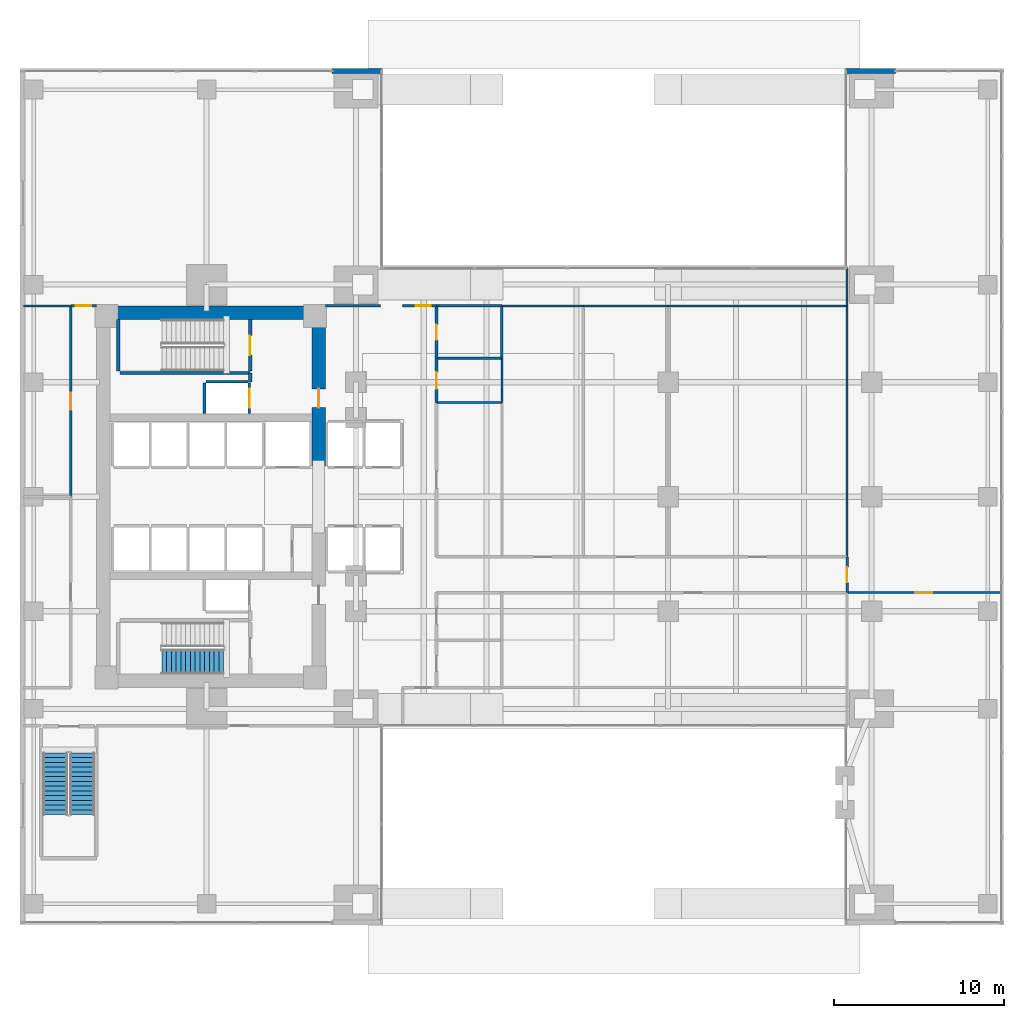
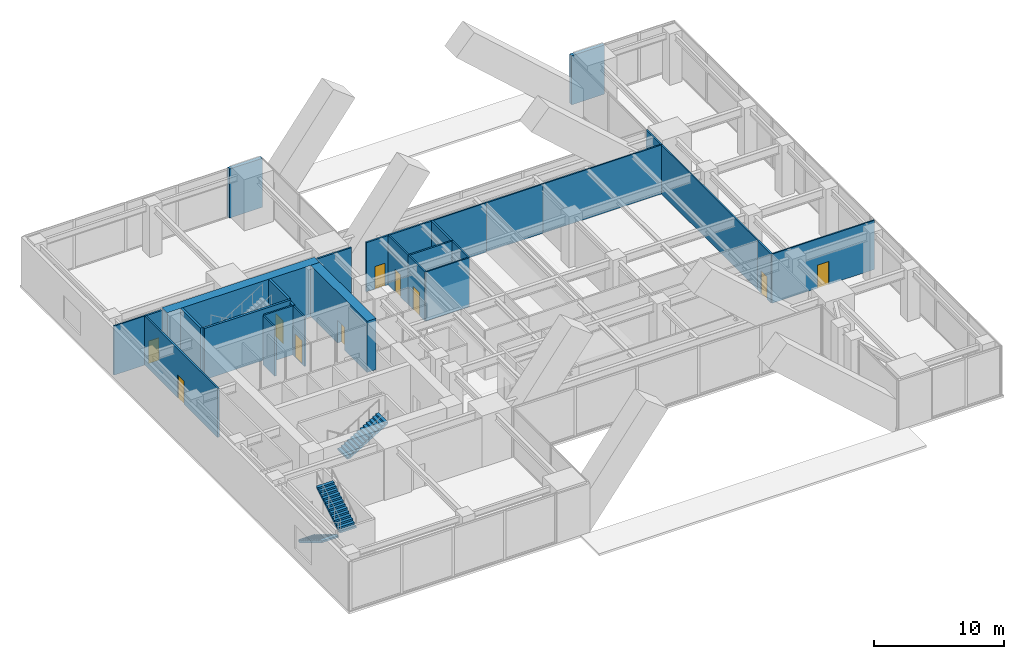
# One storey, part 10 of 13: 30 walls, 10 doors, 3 stair flights, 10 openings, 2 elements without a shape of their own.
"""IFC4 building model written with IfcOpenShell, lengths in metres."""

from ifc_helpers import new_model, si_unit, direction, frame, frame_2d, origin, place, context, subcontext, project, spatial, polyline, rectangle, outline, extrude, material, layer, layer_set, type_object, element, fill, aggregate, save


model = new_model("IFC4")

# Units and contexts
model_context = context("Model", 3, precision=1e-05, world=origin(), true_north=direction((0.0, 1.0)))
body_context = subcontext(model_context, "Body", "Model", "MODEL_VIEW")
ifc_project = project(units=[si_unit("LENGTHUNIT", "METRE"), si_unit("AREAUNIT", "SQUARE_METRE"), si_unit("VOLUMEUNIT", "CUBIC_METRE"), si_unit("PLANEANGLEUNIT", "RADIAN"), si_unit("MASSUNIT", "GRAM", prefix="KILO")], contexts=[model_context])

# Site, building, storey
site_placement = place(None, origin())
site = spatial("IfcSite", under=ifc_project, at=site_placement, CompositionType="ELEMENT")
building_placement = place(site_placement, origin())
building = spatial("IfcBuilding", under=site, at=building_placement, Name="Kinhvarn Gate Tower", CompositionType="ELEMENT")
storey_placement = place(building_placement, frame((0.0, 0.0, 6.0)))
storey = spatial("IfcBuildingStorey", under=building, at=storey_placement, Name="L01", CompositionType="ELEMENT", Elevation=6.0)

# Wall
ifc_material_1 = material(Name="Concrete C70/85", Category="concrete")
ifc_layer_1 = layer(ifc_material_1, 0.800048828125)
ifc_layer_set_1 = layer_set([ifc_layer_1], Name="Concrete C70/85")
wall_type_1 = type_object("IfcWallType", Name="WL-CORE-800", PredefinedType="SHEAR", material=ifc_layer_set_1)
wall_1_placement = place(storey_placement, frame((4.5, 36.10009765625, 0.0), z_axis=(0.0, 0.0, 1.0), x_axis=(1.0, 0.0, 0.0)))
element("IfcWall", 1, at=wall_1_placement, inside=storey, type_object=wall_type_1, Name="Core North Shear Wall L01 800 mm", PredefinedType="SHEAR", context=body_context, shape_type="SweptSolid", body=[
    extrude(rectangle(XDim=13.5, YDim=0.800048828125, at=frame_2d((6.75, 0.0))), origin(), (0.0, 0.0, 1.0), 4.800048828125),
])

# Wall, opening, door
wall_2_placement = place(storey_placement, frame((17.60009765625, 27.050048828125, 0.0), z_axis=(0.0, 0.0, 1.0), x_axis=(0.0, 1.0, 0.0)))
wall_2 = element("IfcWall", 2, at=wall_2_placement, inside=storey, type_object=wall_type_1, Name="Core East-North Shear Pier L01 800 mm", PredefinedType="SHEAR", context=body_context, shape_type="SweptSolid", body=[
    extrude(rectangle(XDim=8.64990234375, YDim=0.800048828125, at=frame_2d((4.324951171875, 0.0))), origin(), (0.0, 0.0, 1.0), 4.800048828125),
])
opening_1_placement = place(wall_2_placement, frame((3.449951171875, 0.0, 0.0)))
opening_1 = element("IfcOpeningElement", 3, at=opening_1_placement, cuts=wall_2, Name="Opening FD-02", PredefinedType="OPENING", context=body_context, shape_type="SweptSolid", body=[
    extrude(rectangle(XDim=1.10009765625, YDim=2.14990234375, at=frame_2d((0.550048828125, 1.074951171875))), frame((0.0, 0.41015625, 0.0), z_axis=(0.0, -1.0, 0.0), x_axis=(1.0, 0.0, 0.0)), (0.0, 0.0, 1.0), 0.820068359375),
])
ifc_material_2 = material(Name="Anodised aluminium AW-6063", Category="aluminium")
door_type_1 = type_object("IfcDoorType", Name="DR-FD-1100", OperationType="NOTDEFINED", PredefinedType="DOOR", material=ifc_material_2)
door_1_placement = place(opening_1_placement, origin())
door_1 = element("IfcDoor", 4, at=door_1_placement, inside=storey, type_object=door_type_1, Name="Firefighting Lobby Core Door (L01)", OperationType="SINGLE_SWING_LEFT", OverallHeight=2.14990234375, OverallWidth=1.10009765625, PredefinedType="DOOR", context=body_context, shape_type="SweptSolid", body=[
    extrude(rectangle(XDim=1.10009765625, YDim=2.14990234375, at=frame_2d((0.550048828125, 1.074951171875))), frame((0.0, 0.02490234375, 0.0), z_axis=(0.0, -1.0, 0.0), x_axis=(1.0, 0.0, 0.0)), (0.0, 0.0, 1.0), 0.050048828125),
])
fill(opening_1, door_1)

# Walls
ifc_material_3 = material(Name="Precast white architectural concrete C40/50", Category="concrete")
ifc_layer_2 = layer(ifc_material_3, 0.300048828125)
ifc_layer_set_2 = layer_set([ifc_layer_2], Name="Precast white architectural concrete C40/50")
wall_type_2 = type_object("IfcWallType", Name="WL-EXT-300", PredefinedType="SOLIDWALL", material=ifc_layer_set_2)
for number, where, z_axis, x_axis, name in (
    (5, (51.60009765625, 50.35009765625, 0.0), (0.0, 0.0, 1.0), (-1.0, 0.0, 0.0), "Exterior Solidwall Wall EW-300 (L01 Arch-NE-Pier-L01)"),
    (6, (21.31005859375, 50.35009765625, 0.0), (0.0, 0.0, 1.0), (-1.0, 0.0, 0.0), "Exterior Solidwall Wall EW-300 (L01 Arch-NW-Pier-L01)"),
):
    element("IfcWall", number, at=place(storey_placement, frame(where, z_axis=z_axis, x_axis=x_axis)), inside=storey, type_object=wall_type_2, Name=name, PredefinedType="SOLIDWALL", context=body_context, shape_type="SweptSolid", body=[
        extrude(rectangle(XDim=2.91015625, YDim=0.300048828125, at=frame_2d((1.455078125, 0.0))), origin(), (0.0, 0.0, 1.0), 4.60009765625),
    ])
ifc_material_4 = material(Name="Gypsum acoustic partition board")
ifc_layer_3 = layer(ifc_material_4, 0.14990234375)
ifc_layer_set_3 = layer_set([ifc_layer_3], Name="Gypsum acoustic partition board")
wall_type_3 = type_object("IfcWallType", Name="WL-PLM-150", PredefinedType="PLUMBINGWALL", material=ifc_layer_set_3)
for number, where, z_axis, x_axis, name in (
    (7, (24.550048828125, 36.5, 0.0), (0.0, 0.0, 1.0), (1.0, 0.0, 0.0), "Interior Partition PLW-150 (L01)"),
    (8, (24.550048828125, 33.39990234375, 0.0), (0.0, 0.0, 1.0), (1.0, 0.0, 0.0), "Interior Partition PLW-150 (L01)"),
):
    element("IfcWall", number, at=place(storey_placement, frame(where, z_axis=z_axis, x_axis=x_axis)), inside=storey, type_object=wall_type_3, Name=name, PredefinedType="PLUMBINGWALL", context=body_context, shape_type="SweptSolid", body=[
        extrude(rectangle(XDim=3.849853515625, YDim=0.14990234375, at=frame_2d((1.9248046875, 0.0))), origin(), (0.0, 0.0, 1.0), 4.60009765625),
    ])
wall_3_placement = place(storey_placement, frame((28.39990234375, 33.39990234375, 0.0), z_axis=(0.0, 0.0, 1.0), x_axis=(0.0, 1.0, 0.0)))
element("IfcWall", 9, at=wall_3_placement, inside=storey, type_object=wall_type_3, Name="Interior Partition PLW-150 (L01)", PredefinedType="PLUMBINGWALL", context=body_context, shape_type="SweptSolid", body=[
    extrude(rectangle(XDim=3.10009765625, YDim=0.14990234375, at=frame_2d((1.550048828125, 0.0))), origin(), (0.0, 0.0, 1.0), 4.60009765625),
])

# Wall, opening, door
ifc_layer_4 = layer(ifc_material_4, 0.14990234375)
ifc_layer_set_4 = layer_set([ifc_layer_4], Name="Gypsum acoustic partition board")
wall_type_4 = type_object("IfcWallType", Name="WL-PLM-150F", PredefinedType="PLUMBINGWALL", material=ifc_layer_set_4)
wall_4_placement = place(storey_placement, frame((24.550048828125, 33.39990234375, 0.0), z_axis=(0.0, 0.0, 1.0), x_axis=(0.0, 1.0, 0.0)))
wall_4 = element("IfcWall", 10, at=wall_4_placement, inside=storey, type_object=wall_type_4, Name="Interior Partition PLW-150F (L01)", PredefinedType="PLUMBINGWALL", context=body_context, shape_type="SweptSolid", body=[
    extrude(rectangle(XDim=3.10009765625, YDim=0.14990234375, at=frame_2d((1.550048828125, 0.0))), origin(), (0.0, 0.0, 1.0), 4.60009765625),
])
opening_2_placement = place(wall_4_placement, frame((1.10009765625, 0.0, 0.0)))
opening_2 = element("IfcOpeningElement", 11, at=opening_2_placement, cuts=wall_4, Name="Opening FD-04", PredefinedType="OPENING", context=body_context, shape_type="SweptSolid", body=[
    extrude(rectangle(XDim=0.89990234375, YDim=2.10009765625, at=frame_2d((0.449951171875, 1.050048828125))), frame((0.0, 0.0849609375, 0.0), z_axis=(0.0, -1.0, 0.0), x_axis=(1.0, 0.0, 0.0)), (0.0, 0.0, 1.0), 0.169921875),
])
door_type_2 = type_object("IfcDoorType", Name="DR-FD-900", OperationType="NOTDEFINED", PredefinedType="DOOR", material=ifc_material_2)
door_2_placement = place(opening_2_placement, origin())
door_2 = element("IfcDoor", 12, at=door_2_placement, inside=storey, type_object=door_type_2, Name="Rated Riser & Service Closet Fire Door 900x2100 mm (L01)", OperationType="SINGLE_SWING_RIGHT", OverallHeight=2.10009765625, OverallWidth=0.89990234375, PredefinedType="DOOR", context=body_context, shape_type="SweptSolid", body=[
    extrude(rectangle(XDim=0.89990234375, YDim=2.10009765625, at=frame_2d((0.449951171875, 1.050048828125))), frame((0.0, 0.02490234375, 0.0), z_axis=(0.0, -1.0, 0.0), x_axis=(1.0, 0.0, 0.0)), (0.0, 0.0, 1.0), 0.050048828125),
])
fill(opening_2, door_2)

# Walls
ifc_layer_5 = layer(ifc_material_4, 0.1201171875)
ifc_layer_set_5 = layer_set([ifc_layer_5], Name="Gypsum acoustic partition board")
wall_type_5 = type_object("IfcWallType", Name="WL-PRT-120", PredefinedType="PARTITIONING", material=ifc_layer_set_5)
wall_5_placement = place(storey_placement, frame((0.199951171875, 36.5, 0.0), z_axis=(0.0, 0.0, 1.0), x_axis=(1.0, 0.0, 0.0)))
element("IfcWall", 13, at=wall_5_placement, inside=storey, type_object=wall_type_5, Name="Interior Partition PW-120 (L01)", PredefinedType="PARTITIONING", context=body_context, shape_type="SweptSolid", body=[
    extrude(rectangle(XDim=2.800048828125, YDim=0.1201171875, at=frame_2d((1.39990234375, 0.0))), origin(), (0.0, 0.0, 1.0), 4.60009765625),
])
wall_6_placement = place(storey_placement, frame((28.39990234375, 36.5, 0.0), z_axis=(0.0, 0.0, 1.0), x_axis=(1.0, 0.0, 0.0)))
element("IfcWall", 14, at=wall_6_placement, inside=storey, type_object=wall_type_5, Name="Interior Partition PW-120 (L01)", PredefinedType="PARTITIONING", context=body_context, shape_type="SweptSolid", body=[
    extrude(rectangle(XDim=4.800048828125, YDim=0.1201171875, at=frame_2d((2.39990234375, 0.0))), origin(), (0.0, 0.0, 1.0), 4.60009765625),
])
wall_7_placement = place(storey_placement, frame((33.199951171875, 36.5, 0.0), z_axis=(0.0, 0.0, 1.0), x_axis=(1.0, 0.0, 0.0)))
element("IfcWall", 15, at=wall_7_placement, inside=storey, type_object=wall_type_5, Name="Interior Partition PW-120 (L01)", PredefinedType="PARTITIONING", context=body_context, shape_type="SweptSolid", body=[
    extrude(rectangle(XDim=5.0, YDim=0.1201171875, at=frame_2d((2.5, 0.0))), origin(), (0.0, 0.0, 1.0), 4.60009765625),
])
wall_8_placement = place(storey_placement, frame((38.199951171875, 36.5, 0.0), z_axis=(0.0, 0.0, 1.0), x_axis=(1.0, 0.0, 0.0)))
element("IfcWall", 16, at=wall_8_placement, inside=storey, type_object=wall_type_5, Name="Interior Partition PW-120 (L01)", PredefinedType="PARTITIONING", context=body_context, shape_type="SweptSolid", body=[
    extrude(rectangle(XDim=10.550048828125, YDim=0.1201171875, at=frame_2d((5.27490234375, 0.0))), origin(), (0.0, 0.0, 1.0), 4.60009765625),
])
wall_9_placement = place(storey_placement, frame((48.75, 36.5, 0.0), z_axis=(0.0, 0.0, 1.0), x_axis=(0.0, 1.0, 0.0)))
element("IfcWall", 17, at=wall_9_placement, inside=storey, type_object=wall_type_5, Name="Interior Partition PW-120 (L01)", PredefinedType="PARTITIONING", context=body_context, shape_type="SweptSolid", body=[
    extrude(rectangle(XDim=2.260009765625, YDim=0.1201171875, at=frame_2d((1.1298828125, 0.0))), origin(), (0.0, 0.0, 1.0), 4.60009765625),
])
wall_10_placement = place(storey_placement, frame((24.550048828125, 30.800048828125, 0.0), z_axis=(0.0, 0.0, 1.0), x_axis=(1.0, 0.0, 0.0)))
element("IfcWall", 18, at=wall_10_placement, inside=storey, type_object=wall_type_5, Name="Interior Partition PW-120 (L01)", PredefinedType="PARTITIONING", context=body_context, shape_type="SweptSolid", body=[
    extrude(rectangle(XDim=3.849853515625, YDim=0.1201171875, at=frame_2d((1.9248046875, 0.0))), origin(), (0.0, 0.0, 1.0), 4.60009765625),
])
wall_11_placement = place(storey_placement, frame((28.39990234375, 30.800048828125, 0.0), z_axis=(0.0, 0.0, 1.0), x_axis=(0.0, 1.0, 0.0)))
element("IfcWall", 19, at=wall_11_placement, inside=storey, type_object=wall_type_5, Name="Interior Partition PW-120 (L01)", PredefinedType="PARTITIONING", context=body_context, shape_type="SweptSolid", body=[
    extrude(rectangle(XDim=2.599853515625, YDim=0.1201171875, at=frame_2d((1.2998046875, 0.0))), origin(), (0.0, 0.0, 1.0), 4.60009765625),
])
wall_12_placement = place(storey_placement, frame((48.75, 21.699951171875, 0.0), z_axis=(0.0, 0.0, 1.0), x_axis=(0.0, 1.0, 0.0)))
element("IfcWall", 20, at=wall_12_placement, inside=storey, type_object=wall_type_5, Name="Interior Partition PW-120 (L01)", PredefinedType="PARTITIONING", context=body_context, shape_type="SweptSolid", body=[
    extrude(rectangle(XDim=14.800048828125, YDim=0.1201171875, at=frame_2d((7.39990234375, 0.0))), origin(), (0.0, 0.0, 1.0), 4.60009765625),
])

# Wall, opening, door
wall_13_placement = place(storey_placement, frame((48.75, 19.60009765625, 0.0), z_axis=(0.0, 0.0, 1.0), x_axis=(1.0, 0.0, 0.0)))
wall_13 = element("IfcWall", 21, at=wall_13_placement, inside=storey, type_object=wall_type_5, Name="Interior Partition PW-120 (L01)", PredefinedType="PARTITIONING", context=body_context, shape_type="SweptSolid", body=[
    extrude(rectangle(XDim=9.050048828125, YDim=0.1201171875, at=frame_2d((4.52490234375, 0.0))), origin(), (0.0, 0.0, 1.0), 4.60009765625),
])
opening_3_placement = place(wall_13_placement, frame((4.02490234375, 0.0, 0.0)))
opening_3 = element("IfcOpeningElement", 22, at=opening_3_placement, cuts=wall_13, Name="Opening ID-02", PredefinedType="OPENING", context=body_context, shape_type="SweptSolid", body=[
    extrude(rectangle(XDim=1.0, YDim=2.14990234375, at=frame_2d((0.5, 1.074951171875))), frame((0.0, 0.070068359375, 0.0), z_axis=(0.0, -1.0, 0.0), x_axis=(1.0, 0.0, 0.0)), (0.0, 0.0, 1.0), 0.14013671875),
])
door_type_3 = type_object("IfcDoorType", Name="DR-INT-1000", OperationType="NOTDEFINED", PredefinedType="DOOR", material=ifc_material_2)
door_3_placement = place(opening_3_placement, origin())
door_3 = element("IfcDoor", 23, at=door_3_placement, inside=storey, type_object=door_type_3, Name="Standard Office & Meeting Room Door 1000x2150 mm (L01)", OperationType="SINGLE_SWING_LEFT", OverallHeight=2.14990234375, OverallWidth=1.0, PredefinedType="DOOR", context=body_context, shape_type="SweptSolid", body=[
    extrude(rectangle(XDim=1.0, YDim=2.14990234375, at=frame_2d((0.5, 1.074951171875))), frame((0.0, 0.02490234375, 0.0), z_axis=(0.0, -1.0, 0.0), x_axis=(1.0, 0.0, 0.0)), (0.0, 0.0, 1.0), 0.050048828125),
])
fill(opening_3, door_3)

# Wall
ifc_layer_6 = layer(ifc_material_4, 0.14990234375)
ifc_layer_set_6 = layer_set([ifc_layer_6], Name="Gypsum acoustic partition board")
wall_type_6 = type_object("IfcWallType", Name="WL-PRT-150F", PredefinedType="PARTITIONING", material=ifc_layer_set_6)
wall_14_placement = place(storey_placement, frame((18.0, 36.5, 0.0), z_axis=(0.0, 0.0, 1.0), x_axis=(1.0, 0.0, 0.0)))
element("IfcWall", 24, at=wall_14_placement, inside=storey, type_object=wall_type_6, Name="Interior Partition PW-150F (L01)", PredefinedType="PARTITIONING", context=body_context, shape_type="SweptSolid", body=[
    extrude(rectangle(XDim=3.25, YDim=0.14990234375, at=frame_2d((1.625, 0.0))), origin(), (0.0, 0.0, 1.0), 4.60009765625),
])

# Wall, opening, door
wall_15_placement = place(storey_placement, frame((22.550048828125, 36.5, 0.0), z_axis=(0.0, 0.0, 1.0), x_axis=(1.0, 0.0, 0.0)))
wall_15 = element("IfcWall", 25, at=wall_15_placement, inside=storey, type_object=wall_type_6, Name="Interior Partition PW-150F (L01)", PredefinedType="PARTITIONING", context=body_context, shape_type="SweptSolid", body=[
    extrude(rectangle(XDim=2.0, YDim=0.14990234375, at=frame_2d((1.0, 0.0))), origin(), (0.0, 0.0, 1.0), 4.60009765625),
])
opening_4_placement = place(wall_15_placement, frame((0.77197265625, 0.0, 0.0)))
opening_4 = element("IfcOpeningElement", 26, at=opening_4_placement, cuts=wall_15, Name="Opening ID-03", PredefinedType="OPENING", context=body_context, shape_type="SweptSolid", body=[
    extrude(rectangle(XDim=0.89990234375, YDim=2.10009765625, at=frame_2d((0.449951171875, 1.050048828125))), frame((0.0, 0.0849609375, 0.0), z_axis=(0.0, -1.0, 0.0), x_axis=(1.0, 0.0, 0.0)), (0.0, 0.0, 1.0), 0.169921875),
])
door_type_4 = type_object("IfcDoorType", Name="DR-INT-900", OperationType="NOTDEFINED", PredefinedType="DOOR", material=ifc_material_2)
door_4_placement = place(opening_4_placement, origin())
door_4 = element("IfcDoor", 27, at=door_4_placement, inside=storey, type_object=door_type_4, Name="Cellular Office & Restroom Door 900x2100 mm (L01)", OperationType="SINGLE_SWING_RIGHT", OverallHeight=2.10009765625, OverallWidth=0.89990234375, PredefinedType="DOOR", context=body_context, shape_type="SweptSolid", body=[
    extrude(rectangle(XDim=0.89990234375, YDim=2.10009765625, at=frame_2d((0.449951171875, 1.050048828125))), frame((0.0, 0.02490234375, 0.0), z_axis=(0.0, -1.0, 0.0), x_axis=(1.0, 0.0, 0.0)), (0.0, 0.0, 1.0), 0.050048828125),
])
fill(opening_4, door_4)

wall_16_placement = place(storey_placement, frame((24.550048828125, 30.800048828125, 0.0), z_axis=(0.0, 0.0, 1.0), x_axis=(0.0, 1.0, 0.0)))
wall_16 = element("IfcWall", 28, at=wall_16_placement, inside=storey, type_object=wall_type_6, Name="Interior Partition PW-150F (L01)", PredefinedType="PARTITIONING", context=body_context, shape_type="SweptSolid", body=[
    extrude(rectangle(XDim=2.599853515625, YDim=0.14990234375, at=frame_2d((1.2998046875, 0.0))), origin(), (0.0, 0.0, 1.0), 4.60009765625),
])
opening_5_placement = place(wall_16_placement, frame((0.800048828125, 0.0, 0.0)))
opening_5 = element("IfcOpeningElement", 29, at=opening_5_placement, cuts=wall_16, Name="Opening ID-02", PredefinedType="OPENING", context=body_context, shape_type="SweptSolid", body=[
    extrude(rectangle(XDim=1.0, YDim=2.14990234375, at=frame_2d((0.5, 1.074951171875))), frame((0.0, 0.0849609375, 0.0), z_axis=(0.0, -1.0, 0.0), x_axis=(1.0, 0.0, 0.0)), (0.0, 0.0, 1.0), 0.169921875),
])
door_5_placement = place(opening_5_placement, origin())
door_5 = element("IfcDoor", 30, at=door_5_placement, inside=storey, type_object=door_type_3, Name="Standard Office & Meeting Room Door 1000x2150 mm (L01)", OperationType="SINGLE_SWING_RIGHT", OverallHeight=2.14990234375, OverallWidth=1.0, PredefinedType="DOOR", context=body_context, shape_type="SweptSolid", body=[
    extrude(rectangle(XDim=1.0, YDim=2.14990234375, at=frame_2d((0.5, 1.074951171875))), frame((0.0, 0.02490234375, 0.0), z_axis=(0.0, -1.0, 0.0), x_axis=(1.0, 0.0, 0.0)), (0.0, 0.0, 1.0), 0.050048828125),
])
fill(opening_5, door_5)

wall_17_placement = place(storey_placement, frame((3.0, 25.25, 0.0), z_axis=(0.0, 0.0, 1.0), x_axis=(0.0, 1.0, 0.0)))
wall_17 = element("IfcWall", 31, at=wall_17_placement, inside=storey, type_object=wall_type_6, Name="Interior Partition PW-150F (L01)", PredefinedType="PARTITIONING", context=body_context, shape_type="SweptSolid", body=[
    extrude(rectangle(XDim=11.25, YDim=0.14990234375, at=frame_2d((5.625, 0.0))), origin(), (0.0, 0.0, 1.0), 4.60009765625),
])
opening_6_placement = place(wall_17_placement, frame((5.125, 0.0, 0.0)))
opening_6 = element("IfcOpeningElement", 32, at=opening_6_placement, cuts=wall_17, Name="Opening ID-02", PredefinedType="OPENING", context=body_context, shape_type="SweptSolid", body=[
    extrude(rectangle(XDim=1.0, YDim=2.14990234375, at=frame_2d((0.5, 1.074951171875))), frame((0.0, 0.0849609375, 0.0), z_axis=(0.0, -1.0, 0.0), x_axis=(1.0, 0.0, 0.0)), (0.0, 0.0, 1.0), 0.169921875),
])
door_6_placement = place(opening_6_placement, origin())
door_6 = element("IfcDoor", 33, at=door_6_placement, inside=storey, type_object=door_type_3, Name="Standard Office & Meeting Room Door 1000x2150 mm (L01)", OperationType="SINGLE_SWING_RIGHT", OverallHeight=2.14990234375, OverallWidth=1.0, PredefinedType="DOOR", context=body_context, shape_type="SweptSolid", body=[
    extrude(rectangle(XDim=1.0, YDim=2.14990234375, at=frame_2d((0.5, 1.074951171875))), frame((0.0, 0.02490234375, 0.0), z_axis=(0.0, -1.0, 0.0), x_axis=(1.0, 0.0, 0.0)), (0.0, 0.0, 1.0), 0.050048828125),
])
fill(opening_6, door_6)

wall_18_placement = place(storey_placement, frame((3.0, 36.5, 0.0), z_axis=(0.0, 0.0, 1.0), x_axis=(1.0, 0.0, 0.0)))
wall_18 = element("IfcWall", 34, at=wall_18_placement, inside=storey, type_object=wall_type_6, Name="Interior Partition PW-150F (L01)", PredefinedType="PARTITIONING", context=body_context, shape_type="SweptSolid", body=[
    extrude(rectangle(XDim=1.5, YDim=0.14990234375, at=frame_2d((0.75, 0.0))), origin(), (0.0, 0.0, 1.0), 4.60009765625),
])
opening_7_placement = place(wall_18_placement, frame((0.300048828125, 0.0, 0.0)))
opening_7 = element("IfcOpeningElement", 35, at=opening_7_placement, cuts=wall_18, Name="Opening ID-03", PredefinedType="OPENING", context=body_context, shape_type="SweptSolid", body=[
    extrude(rectangle(XDim=0.89990234375, YDim=2.10009765625, at=frame_2d((0.449951171875, 1.050048828125))), frame((0.0, 0.0849609375, 0.0), z_axis=(0.0, -1.0, 0.0), x_axis=(1.0, 0.0, 0.0)), (0.0, 0.0, 1.0), 0.169921875),
])
door_7_placement = place(opening_7_placement, origin())
door_7 = element("IfcDoor", 36, at=door_7_placement, inside=storey, type_object=door_type_4, Name="Cellular Office & Restroom Door 900x2100 mm (L01)", OperationType="SINGLE_SWING_LEFT", OverallHeight=2.10009765625, OverallWidth=0.89990234375, PredefinedType="DOOR", context=body_context, shape_type="SweptSolid", body=[
    extrude(rectangle(XDim=0.89990234375, YDim=2.10009765625, at=frame_2d((0.449951171875, 1.050048828125))), frame((0.0, 0.02490234375, 0.0), z_axis=(0.0, -1.0, 0.0), x_axis=(1.0, 0.0, 0.0)), (0.0, 0.0, 1.0), 0.050048828125),
])
fill(opening_7, door_7)

wall_19_placement = place(storey_placement, frame((48.75, 19.60009765625, 0.0), z_axis=(0.0, 0.0, 1.0), x_axis=(0.0, 1.0, 0.0)))
wall_19 = element("IfcWall", 37, at=wall_19_placement, inside=storey, type_object=wall_type_6, Name="Interior Partition PW-150F (L01)", PredefinedType="PARTITIONING", context=body_context, shape_type="SweptSolid", body=[
    extrude(rectangle(XDim=2.099853515625, YDim=0.14990234375, at=frame_2d((1.0498046875, 0.0))), origin(), (0.0, 0.0, 1.0), 4.60009765625),
])
opening_8_placement = place(wall_19_placement, frame((0.60009765625, 0.0, 0.0)))
opening_8 = element("IfcOpeningElement", 38, at=opening_8_placement, cuts=wall_19, Name="Opening ID-03", PredefinedType="OPENING", context=body_context, shape_type="SweptSolid", body=[
    extrude(rectangle(XDim=0.89990234375, YDim=2.10009765625, at=frame_2d((0.449951171875, 1.050048828125))), frame((0.0, 0.0849609375, 0.0), z_axis=(0.0, -1.0, 0.0), x_axis=(1.0, 0.0, 0.0)), (0.0, 0.0, 1.0), 0.169921875),
])
door_8_placement = place(opening_8_placement, origin())
door_8 = element("IfcDoor", 39, at=door_8_placement, inside=storey, type_object=door_type_4, Name="Cellular Office & Restroom Door 900x2100 mm (L01)", OperationType="SINGLE_SWING_RIGHT", OverallHeight=2.10009765625, OverallWidth=0.89990234375, PredefinedType="DOOR", context=body_context, shape_type="SweptSolid", body=[
    extrude(rectangle(XDim=0.89990234375, YDim=2.10009765625, at=frame_2d((0.449951171875, 1.050048828125))), frame((0.0, 0.02490234375, 0.0), z_axis=(0.0, -1.0, 0.0), x_axis=(1.0, 0.0, 0.0)), (0.0, 0.0, 1.0), 0.050048828125),
])
fill(opening_8, door_8)

# Walls
ifc_layer_7 = layer(ifc_material_4, 0.199951171875)
ifc_layer_set_7 = layer_set([ifc_layer_7], Name="Gypsum acoustic partition board")
wall_type_7 = type_object("IfcWallType", Name="WL-PRT-200", PredefinedType="PARTITIONING", material=ifc_layer_set_7)
wall_20_placement = place(storey_placement, frame((13.580078125, 32.0, 0.0), z_axis=(0.0, 0.0, 1.0), x_axis=(0.0, 1.0, 0.0)))
element("IfcWall", 40, at=wall_20_placement, inside=storey, type_object=wall_type_7, Name="Interior Partition PW-200 (L01)", PredefinedType="PARTITIONING", context=body_context, shape_type="SweptSolid", body=[
    extrude(rectangle(XDim=0.5400390625, YDim=0.199951171875, at=frame_2d((0.27001953125, 0.0))), origin(), (0.0, 0.0, 1.0), 4.60009765625),
])
ifc_layer_8 = layer(ifc_material_4, 0.14990234375)
ifc_layer_set_8 = layer_set([ifc_layer_8], Name="Gypsum acoustic partition board")
wall_type_8 = type_object("IfcWallType", Name="WL-SHF-150", PredefinedType="PARTITIONING", material=ifc_layer_set_8)
wall_21_placement = place(storey_placement, frame((10.949951171875, 32.02490234375, 0.0), z_axis=(0.0, 0.0, 1.0), x_axis=(1.0, 0.0, 0.0)))
element("IfcWall", 41, at=wall_21_placement, inside=storey, type_object=wall_type_8, Name="Elevator FF2 Hoistway Wall N (L01)", PredefinedType="PARTITIONING", context=body_context, shape_type="SweptSolid", body=[
    extrude(rectangle(XDim=2.5, YDim=0.14990234375, at=frame_2d((1.25, 0.0))), origin(), (0.0, 0.0, 1.0), 4.60009765625),
])
wall_22_placement = place(storey_placement, frame((10.875, 30.14990234375, 0.0), z_axis=(0.0, 0.0, 1.0), x_axis=(0.0, 1.0, 0.0)))
element("IfcWall", 42, at=wall_22_placement, inside=storey, type_object=wall_type_8, Name="Elevator FF2 Hoistway Wall W (L01)", PredefinedType="PARTITIONING", context=body_context, shape_type="SweptSolid", body=[
    extrude(rectangle(XDim=1.800048828125, YDim=0.14990234375, at=frame_2d((0.89990234375, 0.0))), origin(), (0.0, 0.0, 1.0), 4.60009765625),
])

# Wall, opening, door
wall_23_placement = place(storey_placement, frame((13.52490234375, 30.14990234375, 0.0), z_axis=(0.0, 0.0, 1.0), x_axis=(0.0, 1.0, 0.0)))
wall_23 = element("IfcWall", 43, at=wall_23_placement, inside=storey, type_object=wall_type_8, Name="Elevator FF2 Landing Wall (L01)", PredefinedType="PARTITIONING", context=body_context, shape_type="SweptSolid", body=[
    extrude(rectangle(XDim=1.800048828125, YDim=0.14990234375, at=frame_2d((0.89990234375, 0.0))), origin(), (0.0, 0.0, 1.0), 4.60009765625),
])
opening_9_placement = place(wall_23_placement, frame((0.35009765625, 0.0, 0.0)))
opening_9 = element("IfcOpeningElement", 44, at=opening_9_placement, cuts=wall_23, Name="Opening LD-03", PredefinedType="OPENING", context=body_context, shape_type="SweptSolid", body=[
    extrude(rectangle(XDim=1.10009765625, YDim=2.199951171875, at=frame_2d((0.550048828125, 1.10009765625))), frame((0.0, 0.0849609375, 0.0), z_axis=(0.0, -1.0, 0.0), x_axis=(1.0, 0.0, 0.0)), (0.0, 0.0, 1.0), 0.169921875),
])
door_type_5 = type_object("IfcDoorType", Name="DR-LND-FF", OperationType="NOTDEFINED", PredefinedType="DOOR", material=ifc_material_2)
door_9_placement = place(opening_9_placement, origin())
door_9 = element("IfcDoor", 45, at=door_9_placement, inside=storey, type_object=door_type_5, Name="Elevator FF2 Sliding Landing Door (L01)", OperationType="DOUBLE_DOOR_SLIDING", OverallHeight=2.199951171875, OverallWidth=1.10009765625, PredefinedType="DOOR", context=body_context, shape_type="SweptSolid", body=[
    extrude(rectangle(XDim=1.10009765625, YDim=2.199951171875, at=frame_2d((0.550048828125, 1.10009765625))), frame((0.0, 0.02490234375, 0.0), z_axis=(0.0, -1.0, 0.0), x_axis=(1.0, 0.0, 0.0)), (0.0, 0.0, 1.0), 0.050048828125),
])
fill(opening_9, door_9)

# Walls
ifc_material_5 = material(Name="Concrete C40/50", Category="concrete")
ifc_layer_9 = layer(ifc_material_5, 0.199951171875)
ifc_layer_set_9 = layer_set([ifc_layer_9], Name="Concrete C40/50")
wall_type_9 = type_object("IfcWallType", Name="WL-SHF-200", PredefinedType="SOLIDWALL", material=ifc_layer_set_9)
wall_24_placement = place(storey_placement, frame((5.7900390625, 32.64990234375, 0.0), z_axis=(0.0, 0.0, 1.0), x_axis=(0.0, 1.0, 0.0)))
element("IfcWall", 46, at=wall_24_placement, inside=storey, type_object=wall_type_9, Name="Stair ST2 West Shaft Wall (L01)", PredefinedType="SOLIDWALL", context=body_context, shape_type="SweptSolid", body=[
    extrude(rectangle(XDim=3.050048828125, YDim=0.199951171875, at=frame_2d((1.52490234375, 0.0))), origin(), (0.0, 0.0, 1.0), 4.800048828125),
])
wall_25_placement = place(storey_placement, frame((5.89990234375, 32.5400390625, 0.0), z_axis=(0.0, 0.0, 1.0), x_axis=(1.0, 0.0, 0.0)))
element("IfcWall", 47, at=wall_25_placement, inside=storey, type_object=wall_type_9, Name="Stair ST2 South Shaft Wall (L01)", PredefinedType="SOLIDWALL", context=body_context, shape_type="SweptSolid", body=[
    extrude(rectangle(XDim=7.66015625, YDim=0.199951171875, at=frame_2d((3.830078125, 0.0))), origin(), (0.0, 0.0, 1.0), 4.800048828125),
])

# Wall, opening, door
wall_26_placement = place(storey_placement, frame((13.56005859375, 32.64990234375, 0.0), z_axis=(0.0, 0.0, 1.0), x_axis=(0.0, 1.0, 0.0)))
wall_26 = element("IfcWall", 48, at=wall_26_placement, inside=storey, type_object=wall_type_9, Name="Stair ST2 East Entry Wall (L01)", PredefinedType="SOLIDWALL", context=body_context, shape_type="SweptSolid", body=[
    extrude(rectangle(XDim=3.050048828125, YDim=0.199951171875, at=frame_2d((1.52490234375, 0.0))), origin(), (0.0, 0.0, 1.0), 4.800048828125),
])
opening_10_placement = place(wall_26_placement, frame((0.949951171875, 0.0, 0.0)))
opening_10 = element("IfcOpeningElement", 49, at=opening_10_placement, cuts=wall_26, Name="Opening FD-01", PredefinedType="OPENING", context=body_context, shape_type="SweptSolid", body=[
    extrude(rectangle(XDim=1.14990234375, YDim=2.14990234375, at=frame_2d((0.574951171875, 1.074951171875))), frame((0.0, 0.10986328125, 0.0), z_axis=(0.0, -1.0, 0.0), x_axis=(1.0, 0.0, 0.0)), (0.0, 0.0, 1.0), 0.219970703125),
])
door_type_6 = type_object("IfcDoorType", Name="DR-ST-1150", OperationType="NOTDEFINED", PredefinedType="DOOR", material=ifc_material_2)
door_10_placement = place(opening_10_placement, origin())
door_10 = element("IfcDoor", 50, at=door_10_placement, inside=storey, type_object=door_type_6, Name="Exit Stair ST2 Fire Door (L01)", OperationType="SINGLE_SWING_RIGHT", OverallHeight=2.14990234375, OverallWidth=1.14990234375, PredefinedType="DOOR", context=body_context, shape_type="SweptSolid", body=[
    extrude(rectangle(XDim=1.14990234375, YDim=2.14990234375, at=frame_2d((0.574951171875, 1.074951171875))), frame((0.0, 0.02490234375, 0.0), z_axis=(0.0, -1.0, 0.0), x_axis=(1.0, 0.0, 0.0)), (0.0, 0.0, 1.0), 0.050048828125),
])
fill(opening_10, door_10)

# Stair, stair flight
stair_type = type_object("IfcStairType", Name="STR-DLG-171", PredefinedType="HALF_TURN_STAIR", material=ifc_material_5)
stair_1_placement = place(storey_placement, origin())
stair_1 = element("IfcStair", 51, at=stair_1_placement, inside=storey, type_object=stair_type, Name="L01 Core Smokeproof Exit Stair ST1", PredefinedType="HALF_TURN_STAIR")
stair_flight_type = type_object("IfcStairFlightType", Name="STF-DLG-171", PredefinedType="STRAIGHT", material=ifc_material_5)
stair_flight_1_placement = place(storey_placement, frame((8.360107421875, 15.52490234375, 2.39990234375), z_axis=(0.0, 0.0, 1.0), x_axis=(1.0, 0.0, 0.0)))
stair_flight_1 = element("IfcStairFlight", 52, at=stair_flight_1_placement, type_object=stair_flight_type, Name="ST1 flight 2", NumberOfRisers=14, NumberOfTreads=13, PredefinedType="STRAIGHT", RiserHeight=0.171428571, TreadLength=0.28, context=body_context, shape_type="SweptSolid", body=[
    extrude(outline(polyline([(0.0, 0.0), (0.0, 0.17138671875), (0.280029296875, 0.17138671875), (0.280029296875, 0.3427734375), (0.56005859375, 0.3427734375), (0.56005859375, 0.514404296875), (0.840087890625, 0.514404296875), (0.840087890625, 0.685791015625), (1.1201171875, 0.685791015625), (1.1201171875, 0.857177734375), (1.39990234375, 0.857177734375), (1.39990234375, 1.028564453125), (1.679931640625, 1.028564453125), (1.679931640625, 1.199951171875), (1.9599609375, 1.199951171875), (1.9599609375, 1.371337890625), (2.239990234375, 1.371337890625), (2.239990234375, 1.54296875), (2.52001953125, 1.54296875), (2.52001953125, 1.71435546875), (2.800048828125, 1.71435546875), (2.800048828125, 1.8857421875), (3.080078125, 1.8857421875), (3.080078125, 2.05712890625), (3.360107421875, 2.05712890625), (3.360107421875, 2.228515625), (3.639892578125, 2.228515625), (3.639892578125, 2.39990234375), (3.639892578125, 2.052734375), (0.287109375, 0.0), (0.0, 0.0)])), frame((0.0, 0.72509765625, 0.0), z_axis=(0.0, -1.0, 0.0), x_axis=(1.0, 0.0, 0.0)), (0.0, 0.0, 1.0), 1.449951171875),
])
aggregate(stair_1, [stair_flight_1])

# Stair, stair flights
stair_2_placement = place(storey_placement, origin())
stair_2 = element("IfcStair", 53, at=stair_2_placement, inside=storey, type_object=stair_type, Name="L01 Podium & Basement Protected Exit Stair ST3", PredefinedType="HALF_TURN_STAIR")
stair_flight_2_placement = place(storey_placement, frame((2.074951171875, 10.14990234375, 0.0), z_axis=(0.0, 0.0, 1.0), x_axis=(0.0, -1.0, 0.0)))
stair_flight_2 = element("IfcStairFlight", 54, at=stair_flight_2_placement, type_object=stair_flight_type, Name="ST3 flight 1", NumberOfRisers=14, NumberOfTreads=13, PredefinedType="STRAIGHT", RiserHeight=0.171428571, TreadLength=0.28, context=body_context, shape_type="SweptSolid", body=[
    extrude(outline(polyline([(0.0, 0.0), (0.0, 0.17138671875), (0.280029296875, 0.17138671875), (0.280029296875, 0.3427734375), (0.56005859375, 0.3427734375), (0.56005859375, 0.514404296875), (0.840087890625, 0.514404296875), (0.840087890625, 0.685791015625), (1.1201171875, 0.685791015625), (1.1201171875, 0.857177734375), (1.39990234375, 0.857177734375), (1.39990234375, 1.028564453125), (1.679931640625, 1.028564453125), (1.679931640625, 1.199951171875), (1.9599609375, 1.199951171875), (1.9599609375, 1.371337890625), (2.239990234375, 1.371337890625), (2.239990234375, 1.54296875), (2.52001953125, 1.54296875), (2.52001953125, 1.71435546875), (2.800048828125, 1.71435546875), (2.800048828125, 1.8857421875), (3.080078125, 1.8857421875), (3.080078125, 2.05712890625), (3.360107421875, 2.05712890625), (3.360107421875, 2.228515625), (3.639892578125, 2.228515625), (3.639892578125, 2.39990234375), (3.639892578125, 2.052734375), (0.287109375, 0.0), (0.0, 0.0)])), frame((0.0, 0.72509765625, 0.0), z_axis=(0.0, -1.0, 0.0), x_axis=(1.0, 0.0, 0.0)), (0.0, 0.0, 1.0), 1.449951171875),
])
stair_flight_3_placement = place(storey_placement, frame((3.675048828125, 6.510009765625, 2.39990234375), z_axis=(0.0, 0.0, 1.0), x_axis=(0.0, 1.0, 0.0)))
stair_flight_3 = element("IfcStairFlight", 55, at=stair_flight_3_placement, type_object=stair_flight_type, Name="ST3 flight 2", NumberOfRisers=14, NumberOfTreads=13, PredefinedType="STRAIGHT", RiserHeight=0.171428571, TreadLength=0.28, context=body_context, shape_type="SweptSolid", body=[
    extrude(outline(polyline([(0.0, 0.0), (0.0, 0.17138671875), (0.280029296875, 0.17138671875), (0.280029296875, 0.3427734375), (0.56005859375, 0.3427734375), (0.56005859375, 0.514404296875), (0.840087890625, 0.514404296875), (0.840087890625, 0.685791015625), (1.1201171875, 0.685791015625), (1.1201171875, 0.857177734375), (1.39990234375, 0.857177734375), (1.39990234375, 1.028564453125), (1.679931640625, 1.028564453125), (1.679931640625, 1.199951171875), (1.9599609375, 1.199951171875), (1.9599609375, 1.371337890625), (2.239990234375, 1.371337890625), (2.239990234375, 1.54296875), (2.52001953125, 1.54296875), (2.52001953125, 1.71435546875), (2.800048828125, 1.71435546875), (2.800048828125, 1.8857421875), (3.080078125, 1.8857421875), (3.080078125, 2.05712890625), (3.360107421875, 2.05712890625), (3.360107421875, 2.228515625), (3.639892578125, 2.228515625), (3.639892578125, 2.39990234375), (3.639892578125, 2.052734375), (0.287109375, 0.0), (0.0, 0.0)])), frame((0.0, 0.72509765625, 0.0), z_axis=(0.0, -1.0, 0.0), x_axis=(1.0, 0.0, 0.0)), (0.0, 0.0, 1.0), 1.449951171875),
])
aggregate(stair_2, [stair_flight_2, stair_flight_3])

save(model, "model.ifc")
